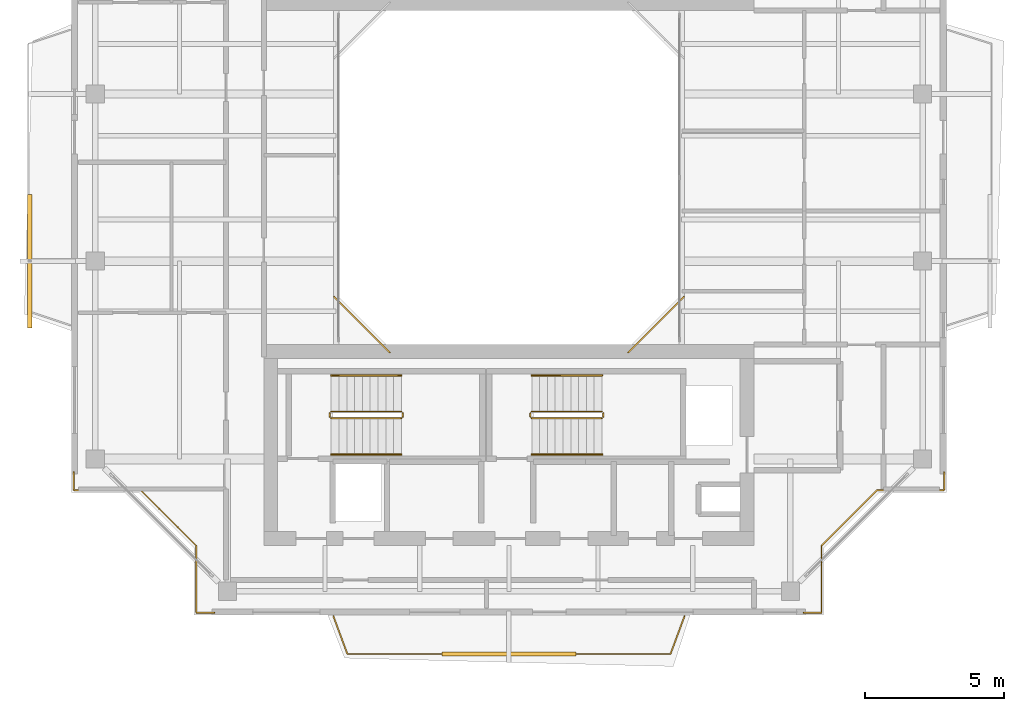
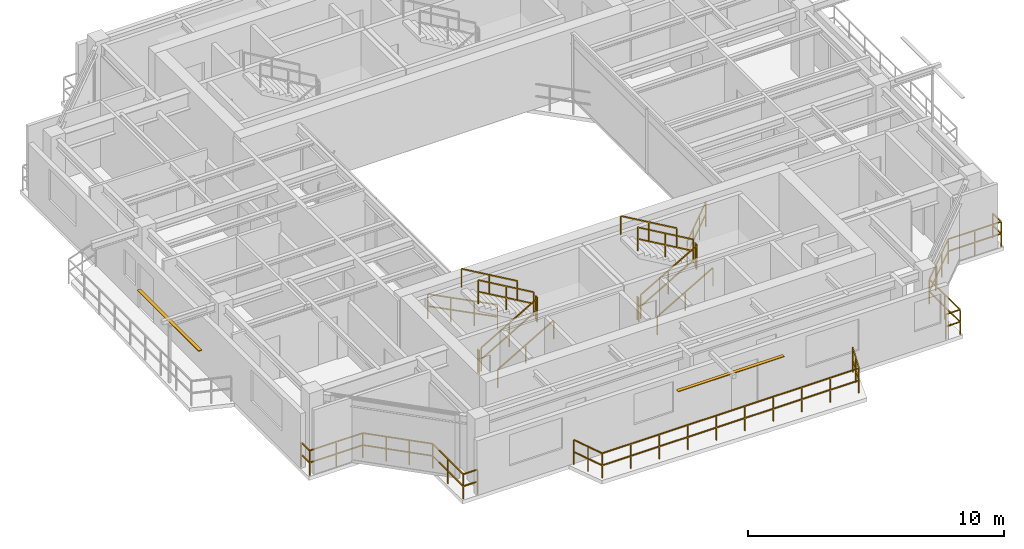
# One storey, part 13 of 15: 17 railings, 2 shading devices.
"""IFC4 building model written with IfcOpenShell, lengths in metres."""

from ifc_helpers import new_model, si_unit, direction, frame, origin, origin_2d, place, context, subcontext, project, spatial, rectangle, extrude, source, transform, mapped, material, material_profile, profile_set, type_object, element, save


model = new_model("IFC4")

# Units and contexts
model_context = context("Model", 3, precision=1e-05, world=origin(), true_north=direction((0.0, 1.0)))
body_context = subcontext(model_context, "Body", "Model", "MODEL_VIEW")
ifc_project = project(units=[si_unit("LENGTHUNIT", "METRE"), si_unit("AREAUNIT", "SQUARE_METRE"), si_unit("VOLUMEUNIT", "CUBIC_METRE"), si_unit("PLANEANGLEUNIT", "RADIAN"), si_unit("MASSUNIT", "GRAM", prefix="KILO"), si_unit("THERMODYNAMICTEMPERATUREUNIT", "KELVIN"), si_unit("POWERUNIT", "WATT")], contexts=[model_context])

# Site, building, storey
site_placement = place(None, origin())
site = spatial("IfcSite", under=ifc_project, at=site_placement, CompositionType="ELEMENT")
building_placement = place(site_placement, origin())
building = spatial("IfcBuilding", under=site, at=building_placement, Name="Qiaomeng Ring Towers", CompositionType="ELEMENT")
storey_placement = place(building_placement, frame((0.0, 0.0, 250.25)))
storey = spatial("IfcBuildingStorey", under=building, at=storey_placement, Name="L73", CompositionType="ELEMENT", Elevation=250.25)

# Railings
ifc_material_1 = material(Name="Low-E pale-green laminated safety glass", Category="glass")
railing_type_1 = type_object("IfcRailingType", Name="ARC-RL-BAL1", PredefinedType="BALUSTRADE", material=ifc_material_1)
railing_1_placement = place(storey_placement, frame((23.280029296875, 16.719970703125, 0.0)))
element("IfcRailing", 1, at=railing_1_placement, inside=storey, type_object=railing_type_1, Name="L73 Balustrade ARC-BAL-WELL1-L73-1", PredefinedType="BALUSTRADE", context=body_context, shape_type="SweptSolid", body=[
    extrude(rectangle(XDim=0.048095703125, YDim=0.048095703125, at=origin_2d()), frame((0.0, 0.0, 1.17578125), z_axis=(0.707106781187, 0.707106781187, 0.0), x_axis=(-0.707106781187, 0.707106781187, 0.0)), (0.0, 0.0, 1.0), 2.828369140625),
    extrude(rectangle(XDim=0.048095703125, YDim=0.048095703125, at=origin_2d()), frame((0.0, 0.0, 0.60009765625), z_axis=(0.707106781187, 0.707106781187, 0.0), x_axis=(-0.707106781187, 0.707106781187, 0.0)), (0.0, 0.0, 1.0), 2.828369140625),
    extrude(rectangle(XDim=0.0419921875, YDim=0.0419921875, at=origin_2d()), origin(), (0.0, 0.0, 1.0), 1.15185546875),
    extrude(rectangle(XDim=0.0419921875, YDim=0.0419921875, at=origin_2d()), frame((0.666748046875, 0.666748046875, 0.0)), (0.0, 0.0, 1.0), 1.15185546875),
    extrude(rectangle(XDim=0.0419921875, YDim=0.0419921875, at=origin_2d()), frame((1.333251953125, 1.333251953125, 0.0)), (0.0, 0.0, 1.0), 1.15185546875),
    extrude(rectangle(XDim=0.0419921875, YDim=0.0419921875, at=origin_2d()), frame((2.0, 2.0, 0.0)), (0.0, 0.0, 1.0), 1.15185546875),
])
railing_2_placement = place(storey_placement, frame((12.719970703125, 18.719970703125, 0.0)))
element("IfcRailing", 2, at=railing_2_placement, inside=storey, type_object=railing_type_1, Name="L73 Balustrade ARC-BAL-WELL1-L73-4", PredefinedType="BALUSTRADE", context=body_context, shape_type="SweptSolid", body=[
    extrude(rectangle(XDim=0.048095703125, YDim=0.048095703125, at=origin_2d()), frame((0.0, 0.0, 1.17578125), z_axis=(0.707106781187, -0.707106781187, 0.0), x_axis=(0.707106781187, 0.707106781187, 0.0)), (0.0, 0.0, 1.0), 2.828369140625),
    extrude(rectangle(XDim=0.048095703125, YDim=0.048095703125, at=origin_2d()), frame((0.0, 0.0, 0.60009765625), z_axis=(0.707106781187, -0.707106781187, 0.0), x_axis=(0.707106781187, 0.707106781187, 0.0)), (0.0, 0.0, 1.0), 2.828369140625),
    extrude(rectangle(XDim=0.0419921875, YDim=0.0419921875, at=origin_2d()), origin(), (0.0, 0.0, 1.0), 1.15185546875),
    extrude(rectangle(XDim=0.0419921875, YDim=0.0419921875, at=origin_2d()), frame((0.666748046875, -0.666748046875, 0.0)), (0.0, 0.0, 1.0), 1.15185546875),
    extrude(rectangle(XDim=0.0419921875, YDim=0.0419921875, at=origin_2d()), frame((1.333251953125, -1.333251953125, 0.0)), (0.0, 0.0, 1.0), 1.15185546875),
    extrude(rectangle(XDim=0.0419921875, YDim=0.0419921875, at=origin_2d()), frame((2.0, -2.0, 0.0)), (0.0, 0.0, 1.0), 1.15185546875),
])
railing_3_placement = place(storey_placement, frame((29.570068359375, 7.3798828125, 0.0)))
element("IfcRailing", 3, at=railing_3_placement, inside=storey, type_object=railing_type_1, Name="L73 Balustrade ARC-BAL-NOTCH1-L73-SE", PredefinedType="BALUSTRADE", context=body_context, shape_type="SweptSolid", body=[
    extrude(rectangle(XDim=0.048095703125, YDim=0.048095703125, at=origin_2d()), frame((0.0, 0.0, 1.17578125), z_axis=(1.0, 0.0, 0.0), x_axis=(0.0, 1.0, 0.0)), (0.0, 0.0, 1.0), 0.64990234375),
    extrude(rectangle(XDim=0.048095703125, YDim=0.048095703125, at=origin_2d()), frame((0.0, 0.0, 0.60009765625), z_axis=(1.0, 0.0, 0.0), x_axis=(0.0, 1.0, 0.0)), (0.0, 0.0, 1.0), 0.64990234375),
    extrude(rectangle(XDim=0.048095703125, YDim=0.048095703125, at=origin_2d()), frame((0.64990234375, 0.0, 1.17578125), z_axis=(0.0, 1.0, 0.0), x_axis=(-1.0, 0.0, 0.0)), (0.0, 0.0, 1.0), 2.400146484375),
    extrude(rectangle(XDim=0.048095703125, YDim=0.048095703125, at=origin_2d()), frame((0.64990234375, 0.0, 0.60009765625), z_axis=(0.0, 1.0, 0.0), x_axis=(-1.0, 0.0, 0.0)), (0.0, 0.0, 1.0), 2.400146484375),
    extrude(rectangle(XDim=0.048095703125, YDim=0.048095703125, at=origin_2d()), frame((0.64990234375, 2.400146484375, 1.17578125), z_axis=(0.707106781187, 0.707106781187, 0.0), x_axis=(-0.707106781187, 0.707106781187, 0.0)), (0.0, 0.0, 1.0), 2.828369140625),
    extrude(rectangle(XDim=0.048095703125, YDim=0.048095703125, at=origin_2d()), frame((0.64990234375, 2.400146484375, 0.60009765625), z_axis=(0.707106781187, 0.707106781187, 0.0), x_axis=(-0.707106781187, 0.707106781187, 0.0)), (0.0, 0.0, 1.0), 2.828369140625),
    extrude(rectangle(XDim=0.048095703125, YDim=0.048095703125, at=origin_2d()), frame((2.64990234375, 4.400146484375, 1.17578125), z_axis=(1.0, 0.0, 0.0), x_axis=(0.0, 1.0, 0.0)), (0.0, 0.0, 1.0), 2.400146484375),
    extrude(rectangle(XDim=0.048095703125, YDim=0.048095703125, at=origin_2d()), frame((2.64990234375, 4.400146484375, 0.60009765625), z_axis=(1.0, 0.0, 0.0), x_axis=(0.0, 1.0, 0.0)), (0.0, 0.0, 1.0), 2.400146484375),
    extrude(rectangle(XDim=0.048095703125, YDim=0.048095703125, at=origin_2d()), frame((5.050048828125, 4.400146484375, 1.17578125), z_axis=(0.0, 1.0, 0.0), x_axis=(-1.0, 0.0, 0.0)), (0.0, 0.0, 1.0), 0.64990234375),
    extrude(rectangle(XDim=0.048095703125, YDim=0.048095703125, at=origin_2d()), frame((5.050048828125, 4.400146484375, 0.60009765625), z_axis=(0.0, 1.0, 0.0), x_axis=(-1.0, 0.0, 0.0)), (0.0, 0.0, 1.0), 0.64990234375),
    extrude(rectangle(XDim=0.0419921875, YDim=0.0419921875, at=origin_2d()), origin(), (0.0, 0.0, 1.0), 1.15185546875),
    extrude(rectangle(XDim=0.0419921875, YDim=0.0419921875, at=origin_2d()), frame((0.64990234375, 0.0, 0.0)), (0.0, 0.0, 1.0), 1.15185546875),
    extrude(rectangle(XDim=0.0419921875, YDim=0.0419921875, at=origin_2d()), frame((0.64990234375, 1.2001953125, 0.0)), (0.0, 0.0, 1.0), 1.15185546875),
    extrude(rectangle(XDim=0.0419921875, YDim=0.0419921875, at=origin_2d()), frame((0.64990234375, 2.400146484375, 0.0)), (0.0, 0.0, 1.0), 1.15185546875),
    extrude(rectangle(XDim=0.0419921875, YDim=0.0419921875, at=origin_2d()), frame((1.316650390625, 3.06689453125, 0.0)), (0.0, 0.0, 1.0), 1.15185546875),
    extrude(rectangle(XDim=0.0419921875, YDim=0.0419921875, at=origin_2d()), frame((1.983154296875, 3.7333984375, 0.0)), (0.0, 0.0, 1.0), 1.15185546875),
    extrude(rectangle(XDim=0.0419921875, YDim=0.0419921875, at=origin_2d()), frame((2.64990234375, 4.400146484375, 0.0)), (0.0, 0.0, 1.0), 1.15185546875),
    extrude(rectangle(XDim=0.0419921875, YDim=0.0419921875, at=origin_2d()), frame((3.85009765625, 4.400146484375, 0.0)), (0.0, 0.0, 1.0), 1.15185546875),
    extrude(rectangle(XDim=0.0419921875, YDim=0.0419921875, at=origin_2d()), frame((5.050048828125, 4.400146484375, 0.0)), (0.0, 0.0, 1.0), 1.15185546875),
    extrude(rectangle(XDim=0.0419921875, YDim=0.0419921875, at=origin_2d()), frame((5.050048828125, 5.050048828125, 0.0)), (0.0, 0.0, 1.0), 1.15185546875),
])
railing_4_placement = place(storey_placement, frame((3.3798828125, 12.429931640625, 0.0)))
element("IfcRailing", 4, at=railing_4_placement, inside=storey, type_object=railing_type_1, Name="L73 Balustrade ARC-BAL-NOTCH1-L73-SW", PredefinedType="BALUSTRADE", context=body_context, shape_type="SweptSolid", body=[
    extrude(rectangle(XDim=0.048095703125, YDim=0.048095703125, at=origin_2d()), frame((0.0, 0.0, 1.17578125), z_axis=(0.0, -1.0, 0.0), x_axis=(1.0, 0.0, 0.0)), (0.0, 0.0, 1.0), 0.64990234375),
    extrude(rectangle(XDim=0.048095703125, YDim=0.048095703125, at=origin_2d()), frame((0.0, 0.0, 0.60009765625), z_axis=(0.0, -1.0, 0.0), x_axis=(1.0, 0.0, 0.0)), (0.0, 0.0, 1.0), 0.64990234375),
    extrude(rectangle(XDim=0.048095703125, YDim=0.048095703125, at=origin_2d()), frame((0.0, -0.64990234375, 1.17578125), z_axis=(1.0, 0.0, 0.0), x_axis=(0.0, 1.0, 0.0)), (0.0, 0.0, 1.0), 2.400146484375),
    extrude(rectangle(XDim=0.048095703125, YDim=0.048095703125, at=origin_2d()), frame((0.0, -0.64990234375, 0.60009765625), z_axis=(1.0, 0.0, 0.0), x_axis=(0.0, 1.0, 0.0)), (0.0, 0.0, 1.0), 2.400146484375),
    extrude(rectangle(XDim=0.048095703125, YDim=0.048095703125, at=origin_2d()), frame((2.400146484375, -0.64990234375, 1.17578125), z_axis=(0.707106781187, -0.707106781187, 0.0), x_axis=(0.707106781187, 0.707106781187, 0.0)), (0.0, 0.0, 1.0), 2.828369140625),
    extrude(rectangle(XDim=0.048095703125, YDim=0.048095703125, at=origin_2d()), frame((2.400146484375, -0.64990234375, 0.60009765625), z_axis=(0.707106781187, -0.707106781187, 0.0), x_axis=(0.707106781187, 0.707106781187, 0.0)), (0.0, 0.0, 1.0), 2.828369140625),
    extrude(rectangle(XDim=0.048095703125, YDim=0.048095703125, at=origin_2d()), frame((4.400146484375, -2.64990234375, 1.17578125), z_axis=(0.0, -1.0, 0.0), x_axis=(1.0, 0.0, 0.0)), (0.0, 0.0, 1.0), 2.400146484375),
    extrude(rectangle(XDim=0.048095703125, YDim=0.048095703125, at=origin_2d()), frame((4.400146484375, -2.64990234375, 0.60009765625), z_axis=(0.0, -1.0, 0.0), x_axis=(1.0, 0.0, 0.0)), (0.0, 0.0, 1.0), 2.400146484375),
    extrude(rectangle(XDim=0.048095703125, YDim=0.048095703125, at=origin_2d()), frame((4.400146484375, -5.050048828125, 1.17578125), z_axis=(1.0, 0.0, 0.0), x_axis=(0.0, 1.0, 0.0)), (0.0, 0.0, 1.0), 0.64990234375),
    extrude(rectangle(XDim=0.048095703125, YDim=0.048095703125, at=origin_2d()), frame((4.400146484375, -5.050048828125, 0.60009765625), z_axis=(1.0, 0.0, 0.0), x_axis=(0.0, 1.0, 0.0)), (0.0, 0.0, 1.0), 0.64990234375),
    extrude(rectangle(XDim=0.0419921875, YDim=0.0419921875, at=origin_2d()), origin(), (0.0, 0.0, 1.0), 1.15185546875),
    extrude(rectangle(XDim=0.0419921875, YDim=0.0419921875, at=origin_2d()), frame((0.0, -0.64990234375, 0.0)), (0.0, 0.0, 1.0), 1.15185546875),
    extrude(rectangle(XDim=0.0419921875, YDim=0.0419921875, at=origin_2d()), frame((1.2001953125, -0.64990234375, 0.0)), (0.0, 0.0, 1.0), 1.15185546875),
    extrude(rectangle(XDim=0.0419921875, YDim=0.0419921875, at=origin_2d()), frame((2.400146484375, -0.64990234375, 0.0)), (0.0, 0.0, 1.0), 1.15185546875),
    extrude(rectangle(XDim=0.0419921875, YDim=0.0419921875, at=origin_2d()), frame((3.06689453125, -1.316650390625, 0.0)), (0.0, 0.0, 1.0), 1.15185546875),
    extrude(rectangle(XDim=0.0419921875, YDim=0.0419921875, at=origin_2d()), frame((3.7333984375, -1.983154296875, 0.0)), (0.0, 0.0, 1.0), 1.15185546875),
    extrude(rectangle(XDim=0.0419921875, YDim=0.0419921875, at=origin_2d()), frame((4.400146484375, -2.64990234375, 0.0)), (0.0, 0.0, 1.0), 1.15185546875),
    extrude(rectangle(XDim=0.0419921875, YDim=0.0419921875, at=origin_2d()), frame((4.400146484375, -3.85009765625, 0.0)), (0.0, 0.0, 1.0), 1.15185546875),
    extrude(rectangle(XDim=0.0419921875, YDim=0.0419921875, at=origin_2d()), frame((4.400146484375, -5.050048828125, 0.0)), (0.0, 0.0, 1.0), 1.15185546875),
    extrude(rectangle(XDim=0.0419921875, YDim=0.0419921875, at=origin_2d()), frame((5.050048828125, -5.050048828125, 0.0)), (0.0, 0.0, 1.0), 1.15185546875),
])
railing_5_placement = place(storey_placement, frame((12.699951171875, 7.25, 0.0)))
element("IfcRailing", 5, at=railing_5_placement, inside=storey, type_object=railing_type_1, Name="L73 Balustrade ARC-BAL-L73-T1-S", PredefinedType="BALUSTRADE", context=body_context, shape_type="SweptSolid", body=[
    extrude(rectangle(XDim=0.048095703125, YDim=0.048095703125, at=origin_2d()), frame((0.0, 0.0, 1.17578125), z_axis=(0.34729226376, -0.937756942673, 0.0), x_axis=(0.937756942673, 0.34729226376, 0.0)), (0.0, 0.0, 1.0), 1.439697265625),
    extrude(rectangle(XDim=0.048095703125, YDim=0.048095703125, at=origin_2d()), frame((0.0, 0.0, 0.60009765625), z_axis=(0.34729226376, -0.937756942673, 0.0), x_axis=(0.937756942673, 0.34729226376, 0.0)), (0.0, 0.0, 1.0), 1.439697265625),
    extrude(rectangle(XDim=0.048095703125, YDim=0.048095703125, at=origin_2d()), frame((0.5, -1.35009765625, 1.17578125), z_axis=(1.0, 0.0, 0.0), x_axis=(0.0, 1.0, 0.0)), (0.0, 0.0, 1.0), 11.60009765625),
    extrude(rectangle(XDim=0.048095703125, YDim=0.048095703125, at=origin_2d()), frame((0.5, -1.35009765625, 0.60009765625), z_axis=(1.0, 0.0, 0.0), x_axis=(0.0, 1.0, 0.0)), (0.0, 0.0, 1.0), 11.60009765625),
    extrude(rectangle(XDim=0.048095703125, YDim=0.048095703125, at=origin_2d()), frame((12.10009765625, -1.35009765625, 1.17578125), z_axis=(0.34729226376, 0.937756942673, 0.0), x_axis=(-0.937756942673, 0.34729226376, 0.0)), (0.0, 0.0, 1.0), 1.439697265625),
    extrude(rectangle(XDim=0.048095703125, YDim=0.048095703125, at=origin_2d()), frame((12.10009765625, -1.35009765625, 0.60009765625), z_axis=(0.34729226376, 0.937756942673, 0.0), x_axis=(-0.937756942673, 0.34729226376, 0.0)), (0.0, 0.0, 1.0), 1.439697265625),
    extrude(rectangle(XDim=0.0419921875, YDim=0.0419921875, at=origin_2d()), origin(), (0.0, 0.0, 1.0), 1.15185546875),
    extrude(rectangle(XDim=0.0419921875, YDim=0.0419921875, at=origin_2d()), frame((0.25, -0.675048828125, 0.0)), (0.0, 0.0, 1.0), 1.15185546875),
    extrude(rectangle(XDim=0.0419921875, YDim=0.0419921875, at=origin_2d()), frame((0.5, -1.35009765625, 0.0)), (0.0, 0.0, 1.0), 1.15185546875),
    extrude(rectangle(XDim=0.0419921875, YDim=0.0419921875, at=origin_2d()), frame((1.788818359375, -1.35009765625, 0.0)), (0.0, 0.0, 1.0), 1.15185546875),
    extrude(rectangle(XDim=0.0419921875, YDim=0.0419921875, at=origin_2d()), frame((3.077880859375, -1.35009765625, 0.0)), (0.0, 0.0, 1.0), 1.15185546875),
    extrude(rectangle(XDim=0.0419921875, YDim=0.0419921875, at=origin_2d()), frame((4.36669921875, -1.35009765625, 0.0)), (0.0, 0.0, 1.0), 1.15185546875),
    extrude(rectangle(XDim=0.0419921875, YDim=0.0419921875, at=origin_2d()), frame((5.655517578125, -1.35009765625, 0.0)), (0.0, 0.0, 1.0), 1.15185546875),
    extrude(rectangle(XDim=0.0419921875, YDim=0.0419921875, at=origin_2d()), frame((6.944580078125, -1.35009765625, 0.0)), (0.0, 0.0, 1.0), 1.15185546875),
    extrude(rectangle(XDim=0.0419921875, YDim=0.0419921875, at=origin_2d()), frame((8.2333984375, -1.35009765625, 0.0)), (0.0, 0.0, 1.0), 1.15185546875),
    extrude(rectangle(XDim=0.0419921875, YDim=0.0419921875, at=origin_2d()), frame((9.522216796875, -1.35009765625, 0.0)), (0.0, 0.0, 1.0), 1.15185546875),
    extrude(rectangle(XDim=0.0419921875, YDim=0.0419921875, at=origin_2d()), frame((10.811279296875, -1.35009765625, 0.0)), (0.0, 0.0, 1.0), 1.15185546875),
    extrude(rectangle(XDim=0.0419921875, YDim=0.0419921875, at=origin_2d()), frame((12.10009765625, -1.35009765625, 0.0)), (0.0, 0.0, 1.0), 1.15185546875),
    extrude(rectangle(XDim=0.0419921875, YDim=0.0419921875, at=origin_2d()), frame((12.35009765625, -0.675048828125, 0.0)), (0.0, 0.0, 1.0), 1.15185546875),
    extrude(rectangle(XDim=0.0419921875, YDim=0.0419921875, at=origin_2d()), frame((12.60009765625, 0.0, 0.0)), (0.0, 0.0, 1.0), 1.15185546875),
])
ifc_material_2 = material(Name="Galvanised steel", Category="steel")
railing_type_2 = type_object("IfcRailingType", Name="ARC-RL-GUARD", PredefinedType="GUARDRAIL", material=ifc_material_2)
railing_6_placement = place(storey_placement, frame((12.6201171875, 14.360107421875, 0.16259765625)))
element("IfcRailing", 6, at=railing_6_placement, inside=storey, type_object=railing_type_2, Name="L73 ST3 stair guard 1", PredefinedType="GUARDRAIL", context=body_context, shape_type="SweptSolid", body=[
    extrude(rectangle(XDim=0.048095703125, YDim=0.048095703125, at=origin_2d()), frame((0.0, 0.0, 1.1259765625), z_axis=(0.864892226395, 0.0, 0.501957604506), x_axis=(0.0, 1.0, 0.0)), (0.0, 0.0, 1.0), 2.913330078125),
    extrude(rectangle(XDim=0.048095703125, YDim=0.048095703125, at=origin_2d()), frame((0.0, 0.0, 0.574951171875), z_axis=(0.864892226395, 0.0, 0.501957604506), x_axis=(0.0, 1.0, 0.0)), (0.0, 0.0, 1.0), 2.913330078125),
    extrude(rectangle(XDim=0.0419921875, YDim=0.0419921875, at=origin_2d()), origin(), (0.0, 0.0, 1.0), 1.101806640625),
    extrude(rectangle(XDim=0.0419921875, YDim=0.0419921875, at=origin_2d()), frame((1.259765625, 0.0, 0.731201171875)), (0.0, 0.0, 1.0), 1.101806640625),
    extrude(rectangle(XDim=0.0419921875, YDim=0.0419921875, at=origin_2d()), frame((2.519775390625, 0.0, 1.46240234375)), (0.0, 0.0, 1.0), 1.101806640625),
])
railing_7_placement = place(storey_placement, frame((15.18994140625, 14.409912109375, 1.625)))
element("IfcRailing", 7, at=railing_7_placement, inside=storey, type_object=railing_type_2, Name="L73 ST3 stair guard 2", PredefinedType="GUARDRAIL", context=body_context, shape_type="SweptSolid", body=[
    extrude(rectangle(XDim=0.048095703125, YDim=0.048095703125, at=origin_2d()), frame((0.0, 0.0, 1.1259765625), z_axis=(0.0, 1.0, 0.0), x_axis=(-1.0, 0.0, 0.0)), (0.0, 0.0, 1.0), 0.14013671875),
    extrude(rectangle(XDim=0.048095703125, YDim=0.048095703125, at=origin_2d()), frame((0.0, 0.0, 0.574951171875), z_axis=(0.0, 1.0, 0.0), x_axis=(-1.0, 0.0, 0.0)), (0.0, 0.0, 1.0), 0.14013671875),
    extrude(rectangle(XDim=0.0419921875, YDim=0.0419921875, at=origin_2d()), origin(), (0.0, 0.0, 1.0), 1.101806640625),
    extrude(rectangle(XDim=0.0419921875, YDim=0.0419921875, at=origin_2d()), frame((0.0, 0.14013671875, 0.0)), (0.0, 0.0, 1.0), 1.101806640625),
])
railing_8_placement = place(storey_placement, frame((15.139892578125, 14.60009765625, 1.78759765625)))
element("IfcRailing", 8, at=railing_8_placement, inside=storey, type_object=railing_type_2, Name="L73 ST3 stair guard 3", PredefinedType="GUARDRAIL", context=body_context, shape_type="SweptSolid", body=[
    extrude(rectangle(XDim=0.048095703125, YDim=0.048095703125, at=origin_2d()), frame((0.0, 0.0, 1.1259765625), z_axis=(-0.864892226395, 0.0, 0.501957604506), x_axis=(0.0, -1.0, 0.0)), (0.0, 0.0, 1.0), 2.913330078125),
    extrude(rectangle(XDim=0.048095703125, YDim=0.048095703125, at=origin_2d()), frame((0.0, 0.0, 0.574951171875), z_axis=(-0.864892226395, 0.0, 0.501957604506), x_axis=(0.0, -1.0, 0.0)), (0.0, 0.0, 1.0), 2.913330078125),
    extrude(rectangle(XDim=0.0419921875, YDim=0.0419921875, at=origin_2d()), origin(), (0.0, 0.0, 1.0), 1.101806640625),
    extrude(rectangle(XDim=0.0419921875, YDim=0.0419921875, at=origin_2d()), frame((-1.259765625, 0.0, 0.731201171875)), (0.0, 0.0, 1.0), 1.101806640625),
    extrude(rectangle(XDim=0.0419921875, YDim=0.0419921875, at=origin_2d()), frame((-2.519775390625, 0.0, 1.46240234375)), (0.0, 0.0, 1.0), 1.101806640625),
])
railing_9_placement = place(storey_placement, frame((12.570068359375, 14.409912109375, 0.0)))
element("IfcRailing", 9, at=railing_9_placement, inside=storey, type_object=railing_type_2, Name="L73 ST3 stair guard 4", PredefinedType="GUARDRAIL", context=body_context, shape_type="SweptSolid", body=[
    extrude(rectangle(XDim=0.048095703125, YDim=0.048095703125, at=origin_2d()), frame((0.0, 0.0, 1.1259765625), z_axis=(0.0, 1.0, 0.0), x_axis=(-1.0, 0.0, 0.0)), (0.0, 0.0, 1.0), 0.14013671875),
    extrude(rectangle(XDim=0.048095703125, YDim=0.048095703125, at=origin_2d()), frame((0.0, 0.0, 0.574951171875), z_axis=(0.0, 1.0, 0.0), x_axis=(-1.0, 0.0, 0.0)), (0.0, 0.0, 1.0), 0.14013671875),
    extrude(rectangle(XDim=0.0419921875, YDim=0.0419921875, at=origin_2d()), origin(), (0.0, 0.0, 1.0), 1.101806640625),
    extrude(rectangle(XDim=0.0419921875, YDim=0.0419921875, at=origin_2d()), frame((0.0, 0.14013671875, 0.0)), (0.0, 0.0, 1.0), 1.101806640625),
])
railing_10_placement = place(storey_placement, frame((19.820068359375, 14.360107421875, 0.16259765625)))
element("IfcRailing", 10, at=railing_10_placement, inside=storey, type_object=railing_type_2, Name="L73 ST4 stair guard 1", PredefinedType="GUARDRAIL", context=body_context, shape_type="SweptSolid", body=[
    extrude(rectangle(XDim=0.048095703125, YDim=0.048095703125, at=origin_2d()), frame((0.0, 0.0, 1.1259765625), z_axis=(0.864913338283, 0.0, 0.50192122615), x_axis=(0.0, 1.0, 0.0)), (0.0, 0.0, 1.0), 2.91357421875),
    extrude(rectangle(XDim=0.048095703125, YDim=0.048095703125, at=origin_2d()), frame((0.0, 0.0, 0.574951171875), z_axis=(0.864913338283, 0.0, 0.50192122615), x_axis=(0.0, 1.0, 0.0)), (0.0, 0.0, 1.0), 2.91357421875),
    extrude(rectangle(XDim=0.0419921875, YDim=0.0419921875, at=origin_2d()), origin(), (0.0, 0.0, 1.0), 1.101806640625),
    extrude(rectangle(XDim=0.0419921875, YDim=0.0419921875, at=origin_2d()), frame((1.260009765625, 0.0, 0.731201171875)), (0.0, 0.0, 1.0), 1.101806640625),
    extrude(rectangle(XDim=0.0419921875, YDim=0.0419921875, at=origin_2d()), frame((2.52001953125, 0.0, 1.46240234375)), (0.0, 0.0, 1.0), 1.101806640625),
])
railing_11_placement = place(storey_placement, frame((22.389892578125, 14.409912109375, 1.625)))
element("IfcRailing", 11, at=railing_11_placement, inside=storey, type_object=railing_type_2, Name="L73 ST4 stair guard 2", PredefinedType="GUARDRAIL", context=body_context, shape_type="SweptSolid", body=[
    extrude(rectangle(XDim=0.048095703125, YDim=0.048095703125, at=origin_2d()), frame((0.0, 0.0, 1.1259765625), z_axis=(0.0, 1.0, 0.0), x_axis=(-1.0, 0.0, 0.0)), (0.0, 0.0, 1.0), 0.14013671875),
    extrude(rectangle(XDim=0.048095703125, YDim=0.048095703125, at=origin_2d()), frame((0.0, 0.0, 0.574951171875), z_axis=(0.0, 1.0, 0.0), x_axis=(-1.0, 0.0, 0.0)), (0.0, 0.0, 1.0), 0.14013671875),
    extrude(rectangle(XDim=0.0419921875, YDim=0.0419921875, at=origin_2d()), origin(), (0.0, 0.0, 1.0), 1.101806640625),
    extrude(rectangle(XDim=0.0419921875, YDim=0.0419921875, at=origin_2d()), frame((0.0, 0.14013671875, 0.0)), (0.0, 0.0, 1.0), 1.101806640625),
])
railing_12_placement = place(storey_placement, frame((22.340087890625, 14.60009765625, 1.78759765625)))
element("IfcRailing", 12, at=railing_12_placement, inside=storey, type_object=railing_type_2, Name="L73 ST4 stair guard 3", PredefinedType="GUARDRAIL", context=body_context, shape_type="SweptSolid", body=[
    extrude(rectangle(XDim=0.048095703125, YDim=0.048095703125, at=origin_2d()), frame((0.0, 0.0, 1.1259765625), z_axis=(-0.864913338283, 0.0, 0.50192122615), x_axis=(0.0, -1.0, 0.0)), (0.0, 0.0, 1.0), 2.91357421875),
    extrude(rectangle(XDim=0.048095703125, YDim=0.048095703125, at=origin_2d()), frame((0.0, 0.0, 0.574951171875), z_axis=(-0.864913338283, 0.0, 0.50192122615), x_axis=(0.0, -1.0, 0.0)), (0.0, 0.0, 1.0), 2.91357421875),
    extrude(rectangle(XDim=0.0419921875, YDim=0.0419921875, at=origin_2d()), origin(), (0.0, 0.0, 1.0), 1.101806640625),
    extrude(rectangle(XDim=0.0419921875, YDim=0.0419921875, at=origin_2d()), frame((-1.260009765625, 0.0, 0.731201171875)), (0.0, 0.0, 1.0), 1.101806640625),
    extrude(rectangle(XDim=0.0419921875, YDim=0.0419921875, at=origin_2d()), frame((-2.52001953125, 0.0, 1.46240234375)), (0.0, 0.0, 1.0), 1.101806640625),
])
railing_13_placement = place(storey_placement, frame((19.77001953125, 14.409912109375, 0.0)))
element("IfcRailing", 13, at=railing_13_placement, inside=storey, type_object=railing_type_2, Name="L73 ST4 stair guard 4", PredefinedType="GUARDRAIL", context=body_context, shape_type="SweptSolid", body=[
    extrude(rectangle(XDim=0.048095703125, YDim=0.048095703125, at=origin_2d()), frame((0.0, 0.0, 1.1259765625), z_axis=(0.0, 1.0, 0.0), x_axis=(-1.0, 0.0, 0.0)), (0.0, 0.0, 1.0), 0.14013671875),
    extrude(rectangle(XDim=0.048095703125, YDim=0.048095703125, at=origin_2d()), frame((0.0, 0.0, 0.574951171875), z_axis=(0.0, 1.0, 0.0), x_axis=(-1.0, 0.0, 0.0)), (0.0, 0.0, 1.0), 0.14013671875),
    extrude(rectangle(XDim=0.0419921875, YDim=0.0419921875, at=origin_2d()), origin(), (0.0, 0.0, 1.0), 1.101806640625),
    extrude(rectangle(XDim=0.0419921875, YDim=0.0419921875, at=origin_2d()), frame((0.0, 0.14013671875, 0.0)), (0.0, 0.0, 1.0), 1.101806640625),
])
ifc_material_3 = material(Name="Stainless steel 316", Category="steel")
railing_type_3 = type_object("IfcRailingType", Name="ARC-RL-HAND", PredefinedType="HANDRAIL", material=ifc_material_3)
railing_14_placement = place(storey_placement, frame((12.6201171875, 13.06005859375, 0.16259765625)))
element("IfcRailing", 14, at=railing_14_placement, inside=storey, type_object=railing_type_3, Name="L73 ST3 stair handrail 1", PredefinedType="HANDRAIL", context=body_context, shape_type="SweptSolid", body=[
    extrude(rectangle(XDim=0.048095703125, YDim=0.048095703125, at=origin_2d()), frame((0.0, 0.0, 0.8759765625), z_axis=(0.864892226395, 0.0, 0.501957604506), x_axis=(0.0, 1.0, 0.0)), (0.0, 0.0, 1.0), 2.913330078125),
    extrude(rectangle(XDim=0.0419921875, YDim=0.0419921875, at=origin_2d()), origin(), (0.0, 0.0, 1.0), 0.851806640625),
    extrude(rectangle(XDim=0.0419921875, YDim=0.0419921875, at=origin_2d()), frame((1.259765625, 0.0, 0.731201171875)), (0.0, 0.0, 1.0), 0.851806640625),
    extrude(rectangle(XDim=0.0419921875, YDim=0.0419921875, at=origin_2d()), frame((2.519775390625, 0.0, 1.46240234375)), (0.0, 0.0, 1.0), 0.851806640625),
])
railing_15_placement = place(storey_placement, frame((15.139892578125, 15.89990234375, 1.78759765625)))
element("IfcRailing", 15, at=railing_15_placement, inside=storey, type_object=railing_type_3, Name="L73 ST3 stair handrail 2", PredefinedType="HANDRAIL", context=body_context, shape_type="SweptSolid", body=[
    extrude(rectangle(XDim=0.048095703125, YDim=0.048095703125, at=origin_2d()), frame((0.0, 0.0, 0.8759765625), z_axis=(-0.864892226395, 0.0, 0.501957604506), x_axis=(0.0, -1.0, 0.0)), (0.0, 0.0, 1.0), 2.913330078125),
    extrude(rectangle(XDim=0.0419921875, YDim=0.0419921875, at=origin_2d()), origin(), (0.0, 0.0, 1.0), 0.851806640625),
    extrude(rectangle(XDim=0.0419921875, YDim=0.0419921875, at=origin_2d()), frame((-1.259765625, 0.0, 0.731201171875)), (0.0, 0.0, 1.0), 0.851806640625),
    extrude(rectangle(XDim=0.0419921875, YDim=0.0419921875, at=origin_2d()), frame((-2.519775390625, 0.0, 1.46240234375)), (0.0, 0.0, 1.0), 0.851806640625),
])
railing_16_placement = place(storey_placement, frame((19.820068359375, 13.06005859375, 0.16259765625)))
element("IfcRailing", 16, at=railing_16_placement, inside=storey, type_object=railing_type_3, Name="L73 ST4 stair handrail 1", PredefinedType="HANDRAIL", context=body_context, shape_type="SweptSolid", body=[
    extrude(rectangle(XDim=0.048095703125, YDim=0.048095703125, at=origin_2d()), frame((0.0, 0.0, 0.8759765625), z_axis=(0.864913338283, 0.0, 0.50192122615), x_axis=(0.0, 1.0, 0.0)), (0.0, 0.0, 1.0), 2.91357421875),
    extrude(rectangle(XDim=0.0419921875, YDim=0.0419921875, at=origin_2d()), origin(), (0.0, 0.0, 1.0), 0.851806640625),
    extrude(rectangle(XDim=0.0419921875, YDim=0.0419921875, at=origin_2d()), frame((1.260009765625, 0.0, 0.731201171875)), (0.0, 0.0, 1.0), 0.851806640625),
    extrude(rectangle(XDim=0.0419921875, YDim=0.0419921875, at=origin_2d()), frame((2.52001953125, 0.0, 1.46240234375)), (0.0, 0.0, 1.0), 0.851806640625),
])
railing_17_placement = place(storey_placement, frame((22.340087890625, 15.89990234375, 1.78759765625)))
element("IfcRailing", 17, at=railing_17_placement, inside=storey, type_object=railing_type_3, Name="L73 ST4 stair handrail 2", PredefinedType="HANDRAIL", context=body_context, shape_type="SweptSolid", body=[
    extrude(rectangle(XDim=0.048095703125, YDim=0.048095703125, at=origin_2d()), frame((0.0, 0.0, 0.8759765625), z_axis=(-0.864913338283, 0.0, 0.50192122615), x_axis=(0.0, -1.0, 0.0)), (0.0, 0.0, 1.0), 2.91357421875),
    extrude(rectangle(XDim=0.0419921875, YDim=0.0419921875, at=origin_2d()), origin(), (0.0, 0.0, 1.0), 0.851806640625),
    extrude(rectangle(XDim=0.0419921875, YDim=0.0419921875, at=origin_2d()), frame((-1.260009765625, 0.0, 0.731201171875)), (0.0, 0.0, 1.0), 0.851806640625),
    extrude(rectangle(XDim=0.0419921875, YDim=0.0419921875, at=origin_2d()), frame((-2.52001953125, 0.0, 1.46240234375)), (0.0, 0.0, 1.0), 0.851806640625),
])

# Shading devices
ifc_material_4 = material(Name="Fluorocarbon dark-grey aluminium", Category="aluminium")
ifc_material_profile = material_profile(ifc_material_4, rectangle(XDim=0.14990234375, YDim=0.034912109375, at=origin_2d()), Name="LV BLADE 150x35")
ifc_profile_set = profile_set([ifc_material_profile], Name="Fluorocarbon dark-grey aluminium")
shading_device_type = type_object("IfcShadingDeviceType", Name="ARC-SHD-SUN", PredefinedType="AWNING", material=ifc_profile_set)
shared_shape = source(origin(), body_context, "Body", "SweptSolid", [
    extrude(rectangle(XDim=0.14990234375, YDim=0.034912109375, at=origin_2d()), origin(), (0.0, 0.0, 1.0), 4.7998046875),
])
for number, where, z_axis, x_axis, name in (
    (18, (16.60009765625, 5.89990234375, 2.969970703125), (1.0, 0.0, 0.0), (0.0, 1.0, 0.0), "L73 Ventilated Outer-Skin Sunshade S"),
    (19, (1.800048828125, 17.60009765625, 2.969970703125), (0.0, 1.0, 0.0), (-1.0, 0.0, 0.0), "L73 Ventilated Outer-Skin Sunshade W"),
):
    element("IfcShadingDevice", number, at=place(storey_placement, frame(where, z_axis=z_axis, x_axis=x_axis)), inside=storey, type_object=shading_device_type, Name=name, PredefinedType="AWNING", context=body_context, shape_type="MappedRepresentation", body=[
        mapped(shared_shape, transform((0.0, 0.0, 0.0), x_axis=(1.0, 0.0, 0.0), y_axis=(0.0, 1.0, 0.0), z_axis=(0.0, 0.0, 1.0), scale=1.0)),
    ])

save(model, "model.ifc")
